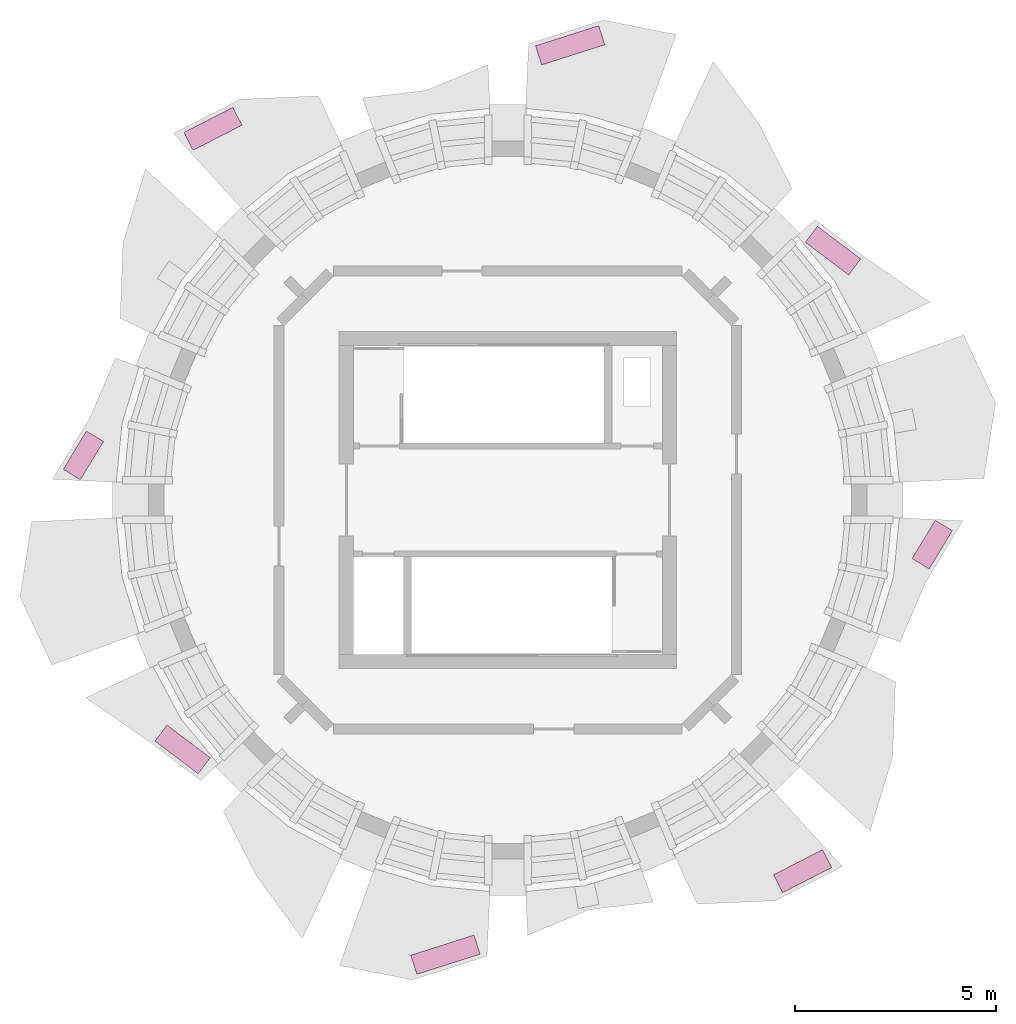
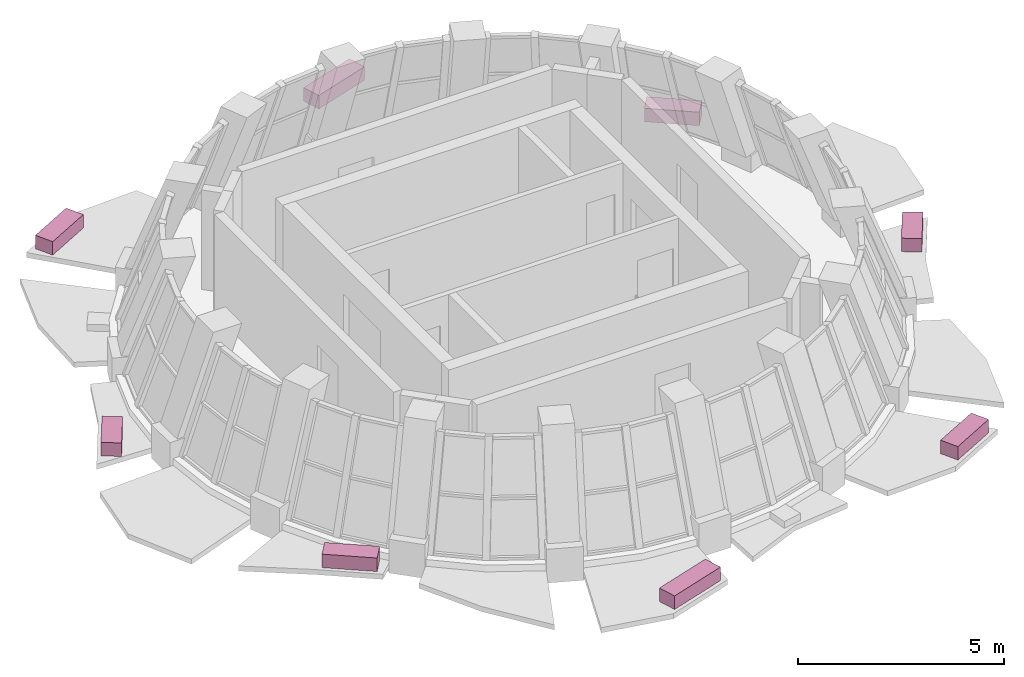
# One storey, part 8 of 8: 8 furniture elements.
"""IFC4 building model written with IfcOpenShell, lengths in metres."""

from ifc_helpers import new_model, si_unit, direction, frame, origin, origin_2d, place, context, subcontext, project, spatial, rectangle, extrude, material, type_object, element, save


model = new_model("IFC4")

# Units and contexts
model_context = context("Model", 3, precision=1e-05, world=origin(), true_north=direction((0.0, 1.0)))
body_context = subcontext(model_context, "Body", "Model", "MODEL_VIEW")
ifc_project = project(units=[si_unit("LENGTHUNIT", "METRE"), si_unit("AREAUNIT", "SQUARE_METRE"), si_unit("VOLUMEUNIT", "CUBIC_METRE"), si_unit("PLANEANGLEUNIT", "RADIAN"), si_unit("MASSUNIT", "GRAM", prefix="KILO")], contexts=[model_context])

# Site, building, storey
site_placement = place(None, origin())
site = spatial("IfcSite", under=ifc_project, at=site_placement, CompositionType="ELEMENT")
building_placement = place(site_placement, origin())
building = spatial("IfcBuilding", under=site, at=building_placement, Name="Polderwave Tower", CompositionType="ELEMENT")
storey_placement = place(building_placement, frame((0.0, 0.0, 244.39990234375)))
storey = spatial("IfcBuildingStorey", under=building, at=storey_placement, Name="L66", CompositionType="ELEMENT", Elevation=244.39990234375)

# Furniture
ifc_material = material(Name="Terracotta", Category="masonry")
furniture_type = type_object("IfcFurnitureType", Name="Terracotta planting trough", AssemblyPlace="NOTDEFINED", PredefinedType="USERDEFINED", material=ifc_material)
furniture_1_placement = place(storey_placement, frame((8.103271484375, 6.213134765625, -0.199951171875), z_axis=(0.0, 0.0, 1.0), x_axis=(-0.7980921461, 0.602535415004, 0.0)))
element("IfcFurniture", 1, at=furniture_1_placement, inside=storey, type_object=furniture_type, Name="Planting trough L66 2", ObjectType="PLANTER", PredefinedType="USERDEFINED", context=body_context, shape_type="SweptSolid", body=[
    extrude(rectangle(XDim=1.35009765625, YDim=0.5, at=origin_2d()), origin(), (0.0, 0.0, 1.0), 0.39990234375),
])
furniture_2_placement = place(storey_placement, frame((1.55419921875, 11.328857421875, -0.199951171875), z_axis=(0.0, 0.0, 1.0), x_axis=(-0.952763840298, -0.303712141048, 0.0)))
element("IfcFurniture", 2, at=furniture_2_placement, inside=storey, type_object=furniture_type, Name="Planting trough L66 4", ObjectType="PLANTER", PredefinedType="USERDEFINED", context=body_context, shape_type="SweptSolid", body=[
    extrude(rectangle(XDim=1.654052734375, YDim=0.5, at=origin_2d()), origin(), (0.0, 0.0, 1.0), 0.39990234375),
])
furniture_3_placement = place(storey_placement, frame((-7.345458984375, 9.247314453125, -0.199951171875), z_axis=(0.0, 0.0, 1.0), x_axis=(-0.890292298637, -0.455389528851, 0.0)))
element("IfcFurniture", 3, at=furniture_3_placement, inside=storey, type_object=furniture_type, Name="Planting trough L66 6", ObjectType="PLANTER", PredefinedType="USERDEFINED", context=body_context, shape_type="SweptSolid", body=[
    extrude(rectangle(XDim=1.37158203125, YDim=0.5, at=origin_2d()), origin(), (0.0, 0.0, 1.0), 0.39990234375),
])
furniture_4_placement = place(storey_placement, frame((-10.573974609375, 1.111328125, -0.199951171875), z_axis=(0.0, 0.0, 1.0), x_axis=(-0.5181001592, -0.855319954776, 0.0)))
element("IfcFurniture", 4, at=furniture_4_placement, inside=storey, type_object=furniture_type, Name="Planting trough L66 8", ObjectType="PLANTER", PredefinedType="USERDEFINED", context=body_context, shape_type="SweptSolid", body=[
    extrude(rectangle(XDim=1.115966796875, YDim=0.5, at=origin_2d()), origin(), (0.0, 0.0, 1.0), 0.39990234375),
])
furniture_5_placement = place(storey_placement, frame((-8.103271484375, -6.213134765625, -0.199951171875), z_axis=(0.0, 0.0, 1.0), x_axis=(0.7980921461, -0.602535415004, 0.0)))
element("IfcFurniture", 5, at=furniture_5_placement, inside=storey, type_object=furniture_type, Name="Planting trough L66 10", ObjectType="PLANTER", PredefinedType="USERDEFINED", context=body_context, shape_type="SweptSolid", body=[
    extrude(rectangle(XDim=1.35009765625, YDim=0.5, at=origin_2d()), origin(), (0.0, 0.0, 1.0), 0.39990234375),
])
furniture_6_placement = place(storey_placement, frame((-1.55419921875, -11.328857421875, -0.199951171875), z_axis=(0.0, 0.0, 1.0), x_axis=(0.952763840298, 0.303712141048, 0.0)))
element("IfcFurniture", 6, at=furniture_6_placement, inside=storey, type_object=furniture_type, Name="Planting trough L66 12", ObjectType="PLANTER", PredefinedType="USERDEFINED", context=body_context, shape_type="SweptSolid", body=[
    extrude(rectangle(XDim=1.654052734375, YDim=0.5, at=origin_2d()), origin(), (0.0, 0.0, 1.0), 0.39990234375),
])
furniture_7_placement = place(storey_placement, frame((7.345458984375, -9.247314453125, -0.199951171875), z_axis=(0.0, 0.0, 1.0), x_axis=(0.890292298637, 0.455389528851, 0.0)))
element("IfcFurniture", 7, at=furniture_7_placement, inside=storey, type_object=furniture_type, Name="Planting trough L66 14", ObjectType="PLANTER", PredefinedType="USERDEFINED", context=body_context, shape_type="SweptSolid", body=[
    extrude(rectangle(XDim=1.37158203125, YDim=0.5, at=origin_2d()), origin(), (0.0, 0.0, 1.0), 0.39990234375),
])
furniture_8_placement = place(storey_placement, frame((10.573974609375, -1.111328125, -0.199951171875), z_axis=(0.0, 0.0, 1.0), x_axis=(0.5181001592, 0.855319954776, 0.0)))
element("IfcFurniture", 8, at=furniture_8_placement, inside=storey, type_object=furniture_type, Name="Planting trough L66 16", ObjectType="PLANTER", PredefinedType="USERDEFINED", context=body_context, shape_type="SweptSolid", body=[
    extrude(rectangle(XDim=1.115966796875, YDim=0.5, at=origin_2d()), origin(), (0.0, 0.0, 1.0), 0.39990234375),
])

save(model, "model.ifc")
